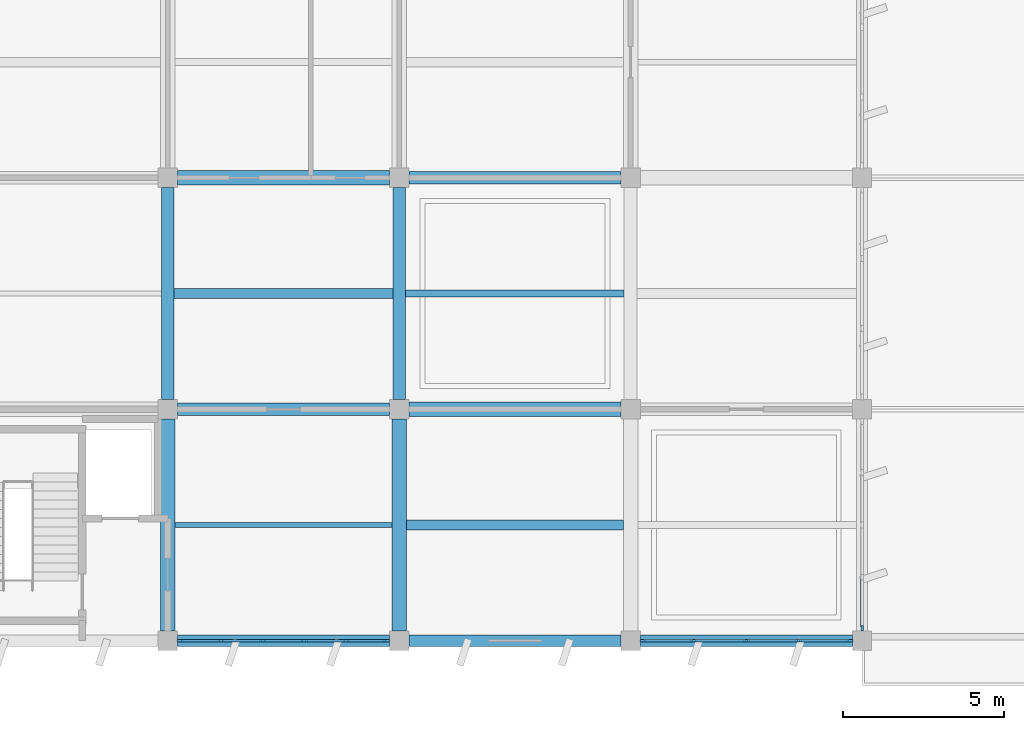
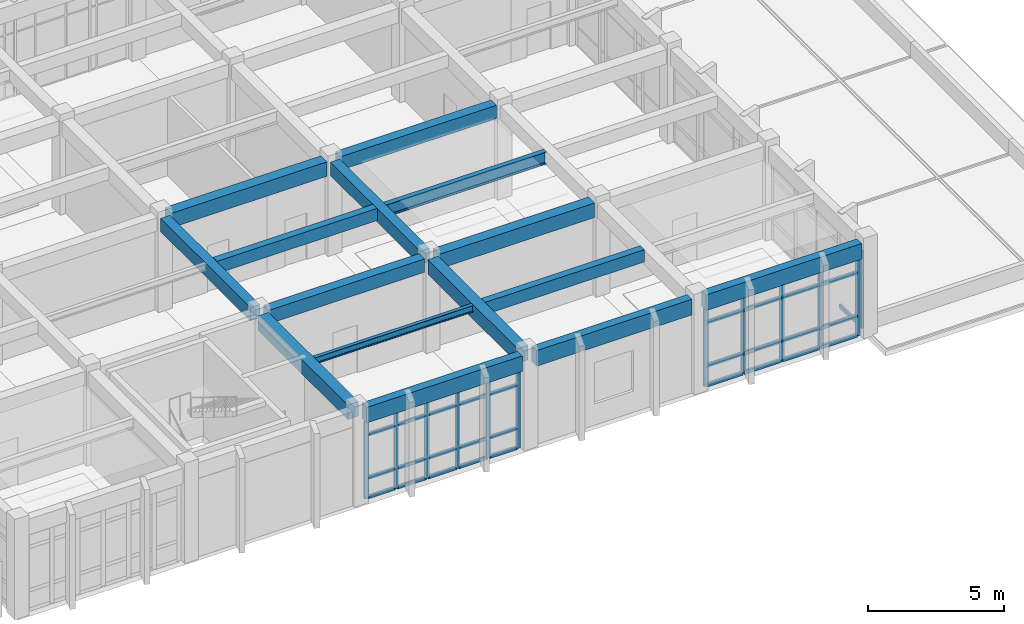
# One storey, part 28 of 81: 51 members, 13 beams, 3 elements without a shape of their own.
"""IFC4 building model written with IfcOpenShell, lengths in metres."""

from ifc_helpers import new_model, si_unit, direction, frame, origin, origin_2d, place, context, subcontext, project, spatial, rectangle, i_section, extrude, material, layer, layer_set, material_profile, profile_set, type_object, element, aggregate, save


model = new_model("IFC4")

# Units and contexts
model_context = context("Model", 3, precision=1e-05, world=origin(), true_north=direction((0.0, 1.0)))
body_context = subcontext(model_context, "Body", "Model", "MODEL_VIEW")
ifc_project = project(units=[si_unit("LENGTHUNIT", "METRE"), si_unit("AREAUNIT", "SQUARE_METRE"), si_unit("VOLUMEUNIT", "CUBIC_METRE"), si_unit("PLANEANGLEUNIT", "RADIAN"), si_unit("MASSUNIT", "GRAM", prefix="KILO")], contexts=[model_context])

# Site, building, storey
site_placement = place(None, origin())
site = spatial("IfcSite", under=ifc_project, at=site_placement, CompositionType="ELEMENT")
building_placement = place(site_placement, origin())
building = spatial("IfcBuilding", under=site, at=building_placement, Name="Kavelor Marine Aquarium", CompositionType="ELEMENT")
storey_placement = place(building_placement, frame((0.0, 0.0, 4.679931640625)))
storey = spatial("IfcBuildingStorey", under=building, at=storey_placement, Name="L01", CompositionType="ELEMENT", Elevation=4.679931640625)

# Beams
ifc_material_1 = material(Name="Concrete C40/50", Category="concrete")
ifc_material_profile_1 = material_profile(ifc_material_1, rectangle(XDim=0.449951171875, YDim=0.64990234375, at=origin_2d()), Name="RC-BM 450x650")
ifc_profile_set_1 = profile_set([ifc_material_profile_1], Name="Concrete C40/50")
beam_type_1 = type_object("IfcBeamType", Name="BM-B3", PredefinedType="BEAM", material=ifc_profile_set_1)
for number, where, z_axis, x_axis, name in (
    (1, (133.10009765625, 17.199951171875, 3.875), (1.0, 0.0, 0.0), (0.0, 1.0, 0.0), "bm:x:L01:L02:18_02"),
    (2, (140.300048828125, 10.0, 3.875), (1.0, 0.0, 0.0), (0.0, 1.0, 0.0), "bm:x:L01:L02:19_01"),
    (3, (132.800048828125, 3.10009765625, 3.875), (0.0, 1.0, 0.0), (-1.0, 0.0, 0.0), "bm:y:L01:L02:18_00"),
    (4, (140.0, 3.10009765625, 3.875), (0.0, 1.0, 0.0), (-1.0, 0.0, 0.0), "bm:y:L01:L02:19_00"),
):
    element("IfcBeam", number, at=place(storey_placement, frame(where, z_axis=z_axis, x_axis=x_axis)), inside=storey, type_object=beam_type_1, Name=name, PredefinedType="BEAM", context=body_context, shape_type="SweptSolid", body=[
        extrude(rectangle(XDim=0.449951171875, YDim=0.64990234375, at=origin_2d()), origin(), (0.0, 0.0, 1.0), 6.599853515625),
    ])
ifc_material_2 = material(Name="Concrete C40/50", Category="concrete")
ifc_material_profile_2 = material_profile(ifc_material_2, rectangle(XDim=0.39990234375, YDim=0.60009765625, at=origin_2d()), Name="RC-BM 400x600")
ifc_profile_set_2 = profile_set([ifc_material_profile_2], Name="Concrete C40/50")
beam_type_2 = type_object("IfcBeamType", Name="BM-B4", PredefinedType="BEAM", material=ifc_profile_set_2)
for number, where, z_axis, x_axis, name in (
    (5, (133.10009765625, 10.0, 3.900146484375), (1.0, 0.0, 0.0), (0.0, 1.0, 0.0), "bm:x:L01:L02:18_01"),
    (6, (140.300048828125, 17.199951171875, 3.900146484375), (1.0, 0.0, 0.0), (0.0, 1.0, 0.0), "bm:x:L01:L02:19_02"),
    (7, (132.800048828125, 10.300048828125, 3.900146484375), (0.0, 1.0, 0.0), (-1.0, 0.0, 0.0), "bm:y:L01:L02:18_01"),
    (8, (140.0, 10.300048828125, 3.900146484375), (0.0, 1.0, 0.0), (-1.0, 0.0, 0.0), "bm:y:L01:L02:19_01"),
):
    element("IfcBeam", number, at=place(storey_placement, frame(where, z_axis=z_axis, x_axis=x_axis)), inside=storey, type_object=beam_type_2, Name=name, PredefinedType="BEAM", context=body_context, shape_type="SweptSolid", body=[
        extrude(rectangle(XDim=0.39990234375, YDim=0.60009765625, at=origin_2d()), origin(), (0.0, 0.0, 1.0), 6.599853515625),
    ])
ifc_material_3 = material(Name="Concrete C40/50", Category="concrete")
ifc_material_profile_3 = material_profile(ifc_material_3, rectangle(XDim=0.300048828125, YDim=0.550048828125, at=origin_2d()), Name="RC-JS 300x550")
ifc_profile_set_3 = profile_set([ifc_material_profile_3], Name="Concrete C40/50")
beam_type_3 = type_object("IfcBeamType", Name="BM-JS2", PredefinedType="JOIST", material=ifc_profile_set_3)
beam_1_placement = place(storey_placement, frame((133.0, 13.60009765625, 3.945068359375), z_axis=(1.0, 0.0, 0.0), x_axis=(0.0, 1.0, 0.0)))
element("IfcBeam", 9, at=beam_1_placement, inside=storey, type_object=beam_type_3, Name="js:L01:L02:18_01", PredefinedType="JOIST", context=body_context, shape_type="SweptSolid", body=[
    extrude(rectangle(XDim=0.300048828125, YDim=0.550048828125, at=origin_2d()), origin(), (0.0, 0.0, 1.0), 6.800048828125),
])
beam_2_placement = place(storey_placement, frame((140.22509765625, 6.39990234375, 3.945068359375), z_axis=(1.0, 0.0, 0.0), x_axis=(0.0, 1.0, 0.0)))
element("IfcBeam", 10, at=beam_2_placement, inside=storey, type_object=beam_type_3, Name="js:L01:L02:19_00", PredefinedType="JOIST", context=body_context, shape_type="SweptSolid", body=[
    extrude(rectangle(XDim=0.300048828125, YDim=0.550048828125, at=origin_2d()), origin(), (0.0, 0.0, 1.0), 6.75),
])
ifc_material_4 = material(Name="Concrete C40/50", Category="concrete")
ifc_material_profile_4 = material_profile(ifc_material_4, rectangle(XDim=0.35009765625, YDim=0.699951171875, at=origin_2d()), Name="RC-SP 350x700")
ifc_profile_set_4 = profile_set([ifc_material_profile_4], Name="Concrete C40/50")
beam_type_4 = type_object("IfcBeamType", Name="BM-SP1", PredefinedType="SPANDREL", material=ifc_profile_set_4)
for number, where, z_axis, x_axis, name in (
    (11, (133.10009765625, 2.800048828125, 3.85009765625), (1.0, 0.0, 0.0), (0.0, 1.0, 0.0), "bm:x:L01:L02:18_00"),
    (12, (140.300048828125, 2.800048828125, 3.8701171875), (1.0, 0.0, 0.0), (0.0, 1.0, 0.0), "bm:x:L01:L02:19_00"),
):
    element("IfcBeam", number, at=place(storey_placement, frame(where, z_axis=z_axis, x_axis=x_axis)), inside=storey, type_object=beam_type_4, Name=name, PredefinedType="SPANDREL", context=body_context, shape_type="SweptSolid", body=[
        extrude(rectangle(XDim=0.35009765625, YDim=0.699951171875, at=origin_2d()), origin(), (0.0, 0.0, 1.0), 6.599853515625),
    ])
beam_3_placement = place(storey_placement, frame((147.5, 2.800048828125, 3.85009765625), z_axis=(1.0, 0.0, 0.0), x_axis=(0.0, 1.0, 0.0)))
element("IfcBeam", 13, at=beam_3_placement, inside=storey, type_object=beam_type_4, Name="bm:x:L01:L02:20_00", PredefinedType="SPANDREL", context=body_context, shape_type="SweptSolid", body=[
    extrude(rectangle(XDim=0.35009765625, YDim=0.699951171875, at=origin_2d()), origin(), (0.0, 0.0, 1.0), 6.60009765625),
])

# Curtain wall, members
ifc_material_5 = material(Name="Thermally Broken Aluminium and Low-E Glass", Category="aluminium")
ifc_layer_1 = layer(ifc_material_5, 0.196044921875)
ifc_layer_set_1 = layer_set([ifc_layer_1], Name="CW-SYS7")
curtain_wall_type_1 = type_object("IfcCurtainWallType", Name="CW-SYS7", PredefinedType="USERDEFINED", material=ifc_layer_set_1)
curtain_wall_1_placement = place(storey_placement, origin())
curtain_wall_1 = element("IfcCurtainWall", 14, at=curtain_wall_1_placement, inside=storey, type_object=curtain_wall_type_1, Name="cw:x:L01:18_00", ObjectType="Curtain Wall", PredefinedType="USERDEFINED")
ifc_material_6 = material(Name="Anodised Aluminium Alloy 6063-T6", Category="aluminium")
ifc_material_profile_5 = material_profile(ifc_material_6, rectangle(XDim=0.074951171875, YDim=0.179931640625, at=origin_2d()), Name="CW-MUL 75x180")
ifc_profile_set_5 = profile_set([ifc_material_profile_5], Name="Anodised Aluminium Alloy 6063-T6")
member_type_1 = type_object("IfcMemberType", Name="CWM-1", PredefinedType="MULLION", material=ifc_profile_set_5)
member_1_placement = place(storey_placement, frame((139.617431640625, 2.800048828125, 0.0), z_axis=(0.0, 0.0, 1.0), x_axis=(0.0, -1.0, 0.0)))
member_1 = element("IfcMember", 15, at=member_1_placement, type_object=member_type_1, Name="CW07 mullion 1", PredefinedType="MULLION", context=body_context, shape_type="SweptSolid", body=[
    extrude(rectangle(XDim=0.074951171875, YDim=0.179931640625, at=origin_2d()), origin(), (0.0, 0.0, 1.0), 3.489990234375),
])
member_2_placement = place(storey_placement, frame((138.35302734375, 2.800048828125, 0.0), z_axis=(0.0, 0.0, 1.0), x_axis=(0.0, -1.0, 0.0)))
member_2 = element("IfcMember", 16, at=member_2_placement, type_object=member_type_1, Name="CW07 mullion 2", PredefinedType="MULLION", context=body_context, shape_type="SweptSolid", body=[
    extrude(rectangle(XDim=0.074951171875, YDim=0.179931640625, at=origin_2d()), origin(), (0.0, 0.0, 1.0), 3.489990234375),
])
member_3_placement = place(storey_placement, frame((137.051025390625, 2.800048828125, 0.0), z_axis=(0.0, 0.0, 1.0), x_axis=(0.0, -1.0, 0.0)))
member_3 = element("IfcMember", 17, at=member_3_placement, type_object=member_type_1, Name="CW07 mullion 3", PredefinedType="MULLION", context=body_context, shape_type="SweptSolid", body=[
    extrude(rectangle(XDim=0.074951171875, YDim=0.179931640625, at=origin_2d()), origin(), (0.0, 0.0, 1.0), 3.489990234375),
])
member_4_placement = place(storey_placement, frame((135.7490234375, 2.800048828125, 0.0), z_axis=(0.0, 0.0, 1.0), x_axis=(0.0, -1.0, 0.0)))
member_4 = element("IfcMember", 18, at=member_4_placement, type_object=member_type_1, Name="CW07 mullion 4", PredefinedType="MULLION", context=body_context, shape_type="SweptSolid", body=[
    extrude(rectangle(XDim=0.074951171875, YDim=0.179931640625, at=origin_2d()), origin(), (0.0, 0.0, 1.0), 3.489990234375),
])
member_5_placement = place(storey_placement, frame((134.447021484375, 2.800048828125, 0.0), z_axis=(0.0, 0.0, 1.0), x_axis=(0.0, -1.0, 0.0)))
member_5 = element("IfcMember", 19, at=member_5_placement, type_object=member_type_1, Name="CW07 mullion 5", PredefinedType="MULLION", context=body_context, shape_type="SweptSolid", body=[
    extrude(rectangle(XDim=0.074951171875, YDim=0.179931640625, at=origin_2d()), origin(), (0.0, 0.0, 1.0), 3.489990234375),
])
member_6_placement = place(storey_placement, frame((133.1826171875, 2.800048828125, 0.0), z_axis=(0.0, 0.0, 1.0), x_axis=(0.0, -1.0, 0.0)))
member_6 = element("IfcMember", 20, at=member_6_placement, type_object=member_type_1, Name="CW07 mullion 6", PredefinedType="MULLION", context=body_context, shape_type="SweptSolid", body=[
    extrude(rectangle(XDim=0.074951171875, YDim=0.179931640625, at=origin_2d()), origin(), (0.0, 0.0, 1.0), 3.489990234375),
])

# Curtain wall, member
ifc_material_7 = material(Name="Thermally Broken Aluminium and Low-E Glass", Category="aluminium")
ifc_layer_2 = layer(ifc_material_7, 0.26806640625)
ifc_layer_set_2 = layer_set([ifc_layer_2], Name="CW-SYS16")
curtain_wall_type_2 = type_object("IfcCurtainWallType", Name="CW-SYS16", PredefinedType="USERDEFINED", material=ifc_layer_set_2)
curtain_wall_2_placement = place(storey_placement, origin())
curtain_wall_2 = element("IfcCurtainWall", 21, at=curtain_wall_2_placement, inside=storey, type_object=curtain_wall_type_2, Name="cw:y:L01:21_00", ObjectType="Curtain Wall", PredefinedType="USERDEFINED")
member_7_placement = place(storey_placement, frame((154.39990234375, 3.1826171875, 0.0), z_axis=(0.0, 0.0, 1.0), x_axis=(-1.0, 0.0, 0.0)))
member_7 = element("IfcMember", 22, at=member_7_placement, type_object=member_type_1, Name="CW16 mullion 1", PredefinedType="MULLION", context=body_context, shape_type="SweptSolid", body=[
    extrude(rectangle(XDim=0.074951171875, YDim=0.179931640625, at=origin_2d()), origin(), (0.0, 0.0, 1.0), 3.489990234375),
])

# Curtain wall, members
ifc_material_8 = material(Name="Thermally Broken Aluminium and Low-E Glass", Category="aluminium")
ifc_layer_3 = layer(ifc_material_8, 0.22802734375)
ifc_layer_set_3 = layer_set([ifc_layer_3], Name="CW-SYS11")
curtain_wall_type_3 = type_object("IfcCurtainWallType", Name="CW-SYS11", PredefinedType="USERDEFINED", material=ifc_layer_set_3)
curtain_wall_3_placement = place(storey_placement, origin())
curtain_wall_3 = element("IfcCurtainWall", 23, at=curtain_wall_3_placement, inside=storey, type_object=curtain_wall_type_3, Name="cw:x:L01:20_00", ObjectType="Curtain Wall", PredefinedType="USERDEFINED")
ifc_material_9 = material(Name="Anodised Aluminium Alloy 6063-T6", Category="aluminium")
ifc_material_profile_6 = material_profile(ifc_material_9, rectangle(XDim=0.080078125, YDim=0.18505859375, at=origin_2d()), Name="CW-MUL 80x185")
ifc_profile_set_6 = profile_set([ifc_material_profile_6], Name="Anodised Aluminium Alloy 6063-T6")
member_type_2 = type_object("IfcMemberType", Name="CWM-2", PredefinedType="MULLION", material=ifc_profile_set_6)
member_8_placement = place(storey_placement, frame((154.0224609375, 2.800048828125, 0.0), z_axis=(0.0, 0.0, 1.0), x_axis=(0.0, -1.0, 0.0)))
member_8 = element("IfcMember", 24, at=member_8_placement, type_object=member_type_2, Name="CW11 mullion 1", PredefinedType="MULLION", context=body_context, shape_type="SweptSolid", body=[
    extrude(rectangle(XDim=0.080078125, YDim=0.18505859375, at=origin_2d()), origin(), (0.0, 0.0, 1.0), 3.489990234375),
])
member_9_placement = place(storey_placement, frame((152.427490234375, 2.800048828125, 0.0), z_axis=(0.0, 0.0, 1.0), x_axis=(0.0, -1.0, 0.0)))
member_9 = element("IfcMember", 25, at=member_9_placement, type_object=member_type_2, Name="CW11 mullion 2", PredefinedType="MULLION", context=body_context, shape_type="SweptSolid", body=[
    extrude(rectangle(XDim=0.080078125, YDim=0.18505859375, at=origin_2d()), origin(), (0.0, 0.0, 1.0), 3.489990234375),
])
member_10_placement = place(storey_placement, frame((150.800048828125, 2.800048828125, 0.0), z_axis=(0.0, 0.0, 1.0), x_axis=(0.0, -1.0, 0.0)))
member_10 = element("IfcMember", 26, at=member_10_placement, type_object=member_type_2, Name="CW11 mullion 3", PredefinedType="MULLION", context=body_context, shape_type="SweptSolid", body=[
    extrude(rectangle(XDim=0.080078125, YDim=0.18505859375, at=origin_2d()), origin(), (0.0, 0.0, 1.0), 3.489990234375),
])
member_11_placement = place(storey_placement, frame((149.172607421875, 2.800048828125, 0.0), z_axis=(0.0, 0.0, 1.0), x_axis=(0.0, -1.0, 0.0)))
member_11 = element("IfcMember", 27, at=member_11_placement, type_object=member_type_2, Name="CW11 mullion 4", PredefinedType="MULLION", context=body_context, shape_type="SweptSolid", body=[
    extrude(rectangle(XDim=0.080078125, YDim=0.18505859375, at=origin_2d()), origin(), (0.0, 0.0, 1.0), 3.489990234375),
])
member_12_placement = place(storey_placement, frame((147.577392578125, 2.800048828125, 0.0), z_axis=(0.0, 0.0, 1.0), x_axis=(0.0, -1.0, 0.0)))
member_12 = element("IfcMember", 28, at=member_12_placement, type_object=member_type_2, Name="CW11 mullion 5", PredefinedType="MULLION", context=body_context, shape_type="SweptSolid", body=[
    extrude(rectangle(XDim=0.080078125, YDim=0.18505859375, at=origin_2d()), origin(), (0.0, 0.0, 1.0), 3.489990234375),
])

# Member
ifc_material_10 = material(Name="Anodised Aluminium Alloy 6063-T6", Category="aluminium")
ifc_material_profile_7 = material_profile(ifc_material_10, rectangle(XDim=0.074951171875, YDim=0.14990234375, at=origin_2d()), Name="CW-TRN 75x150")
ifc_profile_set_7 = profile_set([ifc_material_profile_7], Name="Anodised Aluminium Alloy 6063-T6")
member_type_3 = type_object("IfcMemberType", Name="CWT-1", PredefinedType="USERDEFINED", material=ifc_profile_set_7)
member_13_placement = place(storey_placement, frame((139.580078125, 2.800048828125, 0.03759765625), z_axis=(-1.0, 0.0, 0.0), x_axis=(0.0, -1.0, 0.0)))
member_13 = element("IfcMember", 29, at=member_13_placement, type_object=member_type_3, Name="CW07 transom 1.1", ObjectType="TRANSOM", PredefinedType="USERDEFINED", context=body_context, shape_type="SweptSolid", body=[
    extrude(rectangle(XDim=0.074951171875, YDim=0.14990234375, at=origin_2d()), origin(), (0.0, 0.0, 1.0), 1.189697265625),
])

member_14_placement = place(storey_placement, frame((139.580078125, 2.800048828125, 0.900146484375), z_axis=(-1.0, 0.0, 0.0), x_axis=(0.0, -1.0, 0.0)))
member_14 = element("IfcMember", 30, at=member_14_placement, type_object=member_type_3, Name="CW07 transom 1.2", ObjectType="TRANSOM", PredefinedType="USERDEFINED", context=body_context, shape_type="SweptSolid", body=[
    extrude(rectangle(XDim=0.074951171875, YDim=0.14990234375, at=origin_2d()), origin(), (0.0, 0.0, 1.0), 1.189697265625),
])

member_15_placement = place(storey_placement, frame((139.580078125, 2.800048828125, 2.840087890625), z_axis=(-1.0, 0.0, 0.0), x_axis=(0.0, -1.0, 0.0)))
member_15 = element("IfcMember", 31, at=member_15_placement, type_object=member_type_3, Name="CW07 transom 1.3", ObjectType="TRANSOM", PredefinedType="USERDEFINED", context=body_context, shape_type="SweptSolid", body=[
    extrude(rectangle(XDim=0.074951171875, YDim=0.14990234375, at=origin_2d()), origin(), (0.0, 0.0, 1.0), 1.189697265625),
])

member_16_placement = place(storey_placement, frame((139.580078125, 2.800048828125, 3.45263671875), z_axis=(-1.0, 0.0, 0.0), x_axis=(0.0, -1.0, 0.0)))
member_16 = element("IfcMember", 32, at=member_16_placement, type_object=member_type_3, Name="CW07 transom 1.4", ObjectType="TRANSOM", PredefinedType="USERDEFINED", context=body_context, shape_type="SweptSolid", body=[
    extrude(rectangle(XDim=0.074951171875, YDim=0.14990234375, at=origin_2d()), origin(), (0.0, 0.0, 1.0), 1.189697265625),
])

member_17_placement = place(storey_placement, frame((138.3154296875, 2.800048828125, 0.03759765625), z_axis=(-1.0, 0.0, 0.0), x_axis=(0.0, -1.0, 0.0)))
member_17 = element("IfcMember", 33, at=member_17_placement, type_object=member_type_3, Name="CW07 transom 2.1", ObjectType="TRANSOM", PredefinedType="USERDEFINED", context=body_context, shape_type="SweptSolid", body=[
    extrude(rectangle(XDim=0.074951171875, YDim=0.14990234375, at=origin_2d()), origin(), (0.0, 0.0, 1.0), 1.22705078125),
])

member_18_placement = place(storey_placement, frame((138.3154296875, 2.800048828125, 0.900146484375), z_axis=(-1.0, 0.0, 0.0), x_axis=(0.0, -1.0, 0.0)))
member_18 = element("IfcMember", 34, at=member_18_placement, type_object=member_type_3, Name="CW07 transom 2.2", ObjectType="TRANSOM", PredefinedType="USERDEFINED", context=body_context, shape_type="SweptSolid", body=[
    extrude(rectangle(XDim=0.074951171875, YDim=0.14990234375, at=origin_2d()), origin(), (0.0, 0.0, 1.0), 1.22705078125),
])

member_19_placement = place(storey_placement, frame((138.3154296875, 2.800048828125, 2.840087890625), z_axis=(-1.0, 0.0, 0.0), x_axis=(0.0, -1.0, 0.0)))
member_19 = element("IfcMember", 35, at=member_19_placement, type_object=member_type_3, Name="CW07 transom 2.3", ObjectType="TRANSOM", PredefinedType="USERDEFINED", context=body_context, shape_type="SweptSolid", body=[
    extrude(rectangle(XDim=0.074951171875, YDim=0.14990234375, at=origin_2d()), origin(), (0.0, 0.0, 1.0), 1.22705078125),
])

member_20_placement = place(storey_placement, frame((138.3154296875, 2.800048828125, 3.45263671875), z_axis=(-1.0, 0.0, 0.0), x_axis=(0.0, -1.0, 0.0)))
member_20 = element("IfcMember", 36, at=member_20_placement, type_object=member_type_3, Name="CW07 transom 2.4", ObjectType="TRANSOM", PredefinedType="USERDEFINED", context=body_context, shape_type="SweptSolid", body=[
    extrude(rectangle(XDim=0.074951171875, YDim=0.14990234375, at=origin_2d()), origin(), (0.0, 0.0, 1.0), 1.22705078125),
])

member_21_placement = place(storey_placement, frame((137.013427734375, 2.800048828125, 0.03759765625), z_axis=(-1.0, 0.0, 0.0), x_axis=(0.0, -1.0, 0.0)))
member_21 = element("IfcMember", 37, at=member_21_placement, type_object=member_type_3, Name="CW07 transom 3.1", ObjectType="TRANSOM", PredefinedType="USERDEFINED", context=body_context, shape_type="SweptSolid", body=[
    extrude(rectangle(XDim=0.074951171875, YDim=0.14990234375, at=origin_2d()), origin(), (0.0, 0.0, 1.0), 1.226806640625),
])

member_22_placement = place(storey_placement, frame((137.013427734375, 2.800048828125, 0.900146484375), z_axis=(-1.0, 0.0, 0.0), x_axis=(0.0, -1.0, 0.0)))
member_22 = element("IfcMember", 38, at=member_22_placement, type_object=member_type_3, Name="CW07 transom 3.2", ObjectType="TRANSOM", PredefinedType="USERDEFINED", context=body_context, shape_type="SweptSolid", body=[
    extrude(rectangle(XDim=0.074951171875, YDim=0.14990234375, at=origin_2d()), origin(), (0.0, 0.0, 1.0), 1.226806640625),
])

member_23_placement = place(storey_placement, frame((137.013427734375, 2.800048828125, 2.840087890625), z_axis=(-1.0, 0.0, 0.0), x_axis=(0.0, -1.0, 0.0)))
member_23 = element("IfcMember", 39, at=member_23_placement, type_object=member_type_3, Name="CW07 transom 3.3", ObjectType="TRANSOM", PredefinedType="USERDEFINED", context=body_context, shape_type="SweptSolid", body=[
    extrude(rectangle(XDim=0.074951171875, YDim=0.14990234375, at=origin_2d()), origin(), (0.0, 0.0, 1.0), 1.226806640625),
])

member_24_placement = place(storey_placement, frame((137.013427734375, 2.800048828125, 3.45263671875), z_axis=(-1.0, 0.0, 0.0), x_axis=(0.0, -1.0, 0.0)))
member_24 = element("IfcMember", 40, at=member_24_placement, type_object=member_type_3, Name="CW07 transom 3.4", ObjectType="TRANSOM", PredefinedType="USERDEFINED", context=body_context, shape_type="SweptSolid", body=[
    extrude(rectangle(XDim=0.074951171875, YDim=0.14990234375, at=origin_2d()), origin(), (0.0, 0.0, 1.0), 1.226806640625),
])

member_25_placement = place(storey_placement, frame((135.71142578125, 2.800048828125, 0.03759765625), z_axis=(-1.0, 0.0, 0.0), x_axis=(0.0, -1.0, 0.0)))
member_25 = element("IfcMember", 41, at=member_25_placement, type_object=member_type_3, Name="CW07 transom 4.1", ObjectType="TRANSOM", PredefinedType="USERDEFINED", context=body_context, shape_type="SweptSolid", body=[
    extrude(rectangle(XDim=0.074951171875, YDim=0.14990234375, at=origin_2d()), origin(), (0.0, 0.0, 1.0), 1.226806640625),
])

member_26_placement = place(storey_placement, frame((135.71142578125, 2.800048828125, 0.900146484375), z_axis=(-1.0, 0.0, 0.0), x_axis=(0.0, -1.0, 0.0)))
member_26 = element("IfcMember", 42, at=member_26_placement, type_object=member_type_3, Name="CW07 transom 4.2", ObjectType="TRANSOM", PredefinedType="USERDEFINED", context=body_context, shape_type="SweptSolid", body=[
    extrude(rectangle(XDim=0.074951171875, YDim=0.14990234375, at=origin_2d()), origin(), (0.0, 0.0, 1.0), 1.226806640625),
])

member_27_placement = place(storey_placement, frame((135.71142578125, 2.800048828125, 2.840087890625), z_axis=(-1.0, 0.0, 0.0), x_axis=(0.0, -1.0, 0.0)))
member_27 = element("IfcMember", 43, at=member_27_placement, type_object=member_type_3, Name="CW07 transom 4.3", ObjectType="TRANSOM", PredefinedType="USERDEFINED", context=body_context, shape_type="SweptSolid", body=[
    extrude(rectangle(XDim=0.074951171875, YDim=0.14990234375, at=origin_2d()), origin(), (0.0, 0.0, 1.0), 1.226806640625),
])

member_28_placement = place(storey_placement, frame((135.71142578125, 2.800048828125, 3.45263671875), z_axis=(-1.0, 0.0, 0.0), x_axis=(0.0, -1.0, 0.0)))
member_28 = element("IfcMember", 44, at=member_28_placement, type_object=member_type_3, Name="CW07 transom 4.4", ObjectType="TRANSOM", PredefinedType="USERDEFINED", context=body_context, shape_type="SweptSolid", body=[
    extrude(rectangle(XDim=0.074951171875, YDim=0.14990234375, at=origin_2d()), origin(), (0.0, 0.0, 1.0), 1.226806640625),
])

member_29_placement = place(storey_placement, frame((134.409423828125, 2.800048828125, 0.03759765625), z_axis=(-1.0, 0.0, 0.0), x_axis=(0.0, -1.0, 0.0)))
member_29 = element("IfcMember", 45, at=member_29_placement, type_object=member_type_3, Name="CW07 transom 5.1", ObjectType="TRANSOM", PredefinedType="USERDEFINED", context=body_context, shape_type="SweptSolid", body=[
    extrude(rectangle(XDim=0.074951171875, YDim=0.14990234375, at=origin_2d()), origin(), (0.0, 0.0, 1.0), 1.189453125),
])

member_30_placement = place(storey_placement, frame((134.409423828125, 2.800048828125, 0.900146484375), z_axis=(-1.0, 0.0, 0.0), x_axis=(0.0, -1.0, 0.0)))
member_30 = element("IfcMember", 46, at=member_30_placement, type_object=member_type_3, Name="CW07 transom 5.2", ObjectType="TRANSOM", PredefinedType="USERDEFINED", context=body_context, shape_type="SweptSolid", body=[
    extrude(rectangle(XDim=0.074951171875, YDim=0.14990234375, at=origin_2d()), origin(), (0.0, 0.0, 1.0), 1.189453125),
])

member_31_placement = place(storey_placement, frame((134.409423828125, 2.800048828125, 2.840087890625), z_axis=(-1.0, 0.0, 0.0), x_axis=(0.0, -1.0, 0.0)))
member_31 = element("IfcMember", 47, at=member_31_placement, type_object=member_type_3, Name="CW07 transom 5.3", ObjectType="TRANSOM", PredefinedType="USERDEFINED", context=body_context, shape_type="SweptSolid", body=[
    extrude(rectangle(XDim=0.074951171875, YDim=0.14990234375, at=origin_2d()), origin(), (0.0, 0.0, 1.0), 1.189453125),
])

member_32_placement = place(storey_placement, frame((134.409423828125, 2.800048828125, 3.45263671875), z_axis=(-1.0, 0.0, 0.0), x_axis=(0.0, -1.0, 0.0)))
member_32 = element("IfcMember", 48, at=member_32_placement, type_object=member_type_3, Name="CW07 transom 5.4", ObjectType="TRANSOM", PredefinedType="USERDEFINED", context=body_context, shape_type="SweptSolid", body=[
    extrude(rectangle(XDim=0.074951171875, YDim=0.14990234375, at=origin_2d()), origin(), (0.0, 0.0, 1.0), 1.189453125),
])

aggregate(curtain_wall_1, [member_1, member_2, member_3, member_4, member_5, member_6, member_13, member_14, member_15, member_16, member_17, member_18, member_19, member_20, member_21, member_22, member_23, member_24, member_25, member_26, member_27, member_28, member_29, member_30, member_31, member_32])

ifc_material_11 = material(Name="Anodised Aluminium Alloy 6063-T6", Category="aluminium")
ifc_material_profile_8 = material_profile(ifc_material_11, rectangle(XDim=0.0849609375, YDim=0.159912109375, at=origin_2d()), Name="CW-TRN 85x160")
ifc_profile_set_8 = profile_set([ifc_material_profile_8], Name="Anodised Aluminium Alloy 6063-T6")
member_type_4 = type_object("IfcMemberType", Name="CWT-3", PredefinedType="USERDEFINED", material=ifc_profile_set_8)
member_33_placement = place(storey_placement, frame((153.989990234375, 2.800048828125, 0.030029296875), z_axis=(-1.0, 0.0, 0.0), x_axis=(0.0, -1.0, 0.0)))
member_33 = element("IfcMember", 49, at=member_33_placement, type_object=member_type_4, Name="CW11 transom 1.1", ObjectType="TRANSOM", PredefinedType="USERDEFINED", context=body_context, shape_type="SweptSolid", body=[
    extrude(rectangle(XDim=0.0849609375, YDim=0.159912109375, at=origin_2d()), origin(), (0.0, 0.0, 1.0), 1.530029296875),
])

member_34_placement = place(storey_placement, frame((153.989990234375, 2.800048828125, 0.900146484375), z_axis=(-1.0, 0.0, 0.0), x_axis=(0.0, -1.0, 0.0)))
member_34 = element("IfcMember", 50, at=member_34_placement, type_object=member_type_4, Name="CW11 transom 1.2", ObjectType="TRANSOM", PredefinedType="USERDEFINED", context=body_context, shape_type="SweptSolid", body=[
    extrude(rectangle(XDim=0.0849609375, YDim=0.159912109375, at=origin_2d()), origin(), (0.0, 0.0, 1.0), 1.530029296875),
])

member_35_placement = place(storey_placement, frame((153.989990234375, 2.800048828125, 2.840087890625), z_axis=(-1.0, 0.0, 0.0), x_axis=(0.0, -1.0, 0.0)))
member_35 = element("IfcMember", 51, at=member_35_placement, type_object=member_type_4, Name="CW11 transom 1.3", ObjectType="TRANSOM", PredefinedType="USERDEFINED", context=body_context, shape_type="SweptSolid", body=[
    extrude(rectangle(XDim=0.0849609375, YDim=0.159912109375, at=origin_2d()), origin(), (0.0, 0.0, 1.0), 1.530029296875),
])

member_36_placement = place(storey_placement, frame((153.989990234375, 2.800048828125, 3.4599609375), z_axis=(-1.0, 0.0, 0.0), x_axis=(0.0, -1.0, 0.0)))
member_36 = element("IfcMember", 52, at=member_36_placement, type_object=member_type_4, Name="CW11 transom 1.4", ObjectType="TRANSOM", PredefinedType="USERDEFINED", context=body_context, shape_type="SweptSolid", body=[
    extrude(rectangle(XDim=0.0849609375, YDim=0.159912109375, at=origin_2d()), origin(), (0.0, 0.0, 1.0), 1.530029296875),
])

member_37_placement = place(storey_placement, frame((152.39501953125, 2.800048828125, 0.030029296875), z_axis=(-1.0, 0.0, 0.0), x_axis=(0.0, -1.0, 0.0)))
member_37 = element("IfcMember", 53, at=member_37_placement, type_object=member_type_4, Name="CW11 transom 2.1", ObjectType="TRANSOM", PredefinedType="USERDEFINED", context=body_context, shape_type="SweptSolid", body=[
    extrude(rectangle(XDim=0.0849609375, YDim=0.159912109375, at=origin_2d()), origin(), (0.0, 0.0, 1.0), 1.5625),
])

member_38_placement = place(storey_placement, frame((152.39501953125, 2.800048828125, 0.900146484375), z_axis=(-1.0, 0.0, 0.0), x_axis=(0.0, -1.0, 0.0)))
member_38 = element("IfcMember", 54, at=member_38_placement, type_object=member_type_4, Name="CW11 transom 2.2", ObjectType="TRANSOM", PredefinedType="USERDEFINED", context=body_context, shape_type="SweptSolid", body=[
    extrude(rectangle(XDim=0.0849609375, YDim=0.159912109375, at=origin_2d()), origin(), (0.0, 0.0, 1.0), 1.5625),
])

member_39_placement = place(storey_placement, frame((152.39501953125, 2.800048828125, 2.840087890625), z_axis=(-1.0, 0.0, 0.0), x_axis=(0.0, -1.0, 0.0)))
member_39 = element("IfcMember", 55, at=member_39_placement, type_object=member_type_4, Name="CW11 transom 2.3", ObjectType="TRANSOM", PredefinedType="USERDEFINED", context=body_context, shape_type="SweptSolid", body=[
    extrude(rectangle(XDim=0.0849609375, YDim=0.159912109375, at=origin_2d()), origin(), (0.0, 0.0, 1.0), 1.5625),
])

member_40_placement = place(storey_placement, frame((152.39501953125, 2.800048828125, 3.4599609375), z_axis=(-1.0, 0.0, 0.0), x_axis=(0.0, -1.0, 0.0)))
member_40 = element("IfcMember", 56, at=member_40_placement, type_object=member_type_4, Name="CW11 transom 2.4", ObjectType="TRANSOM", PredefinedType="USERDEFINED", context=body_context, shape_type="SweptSolid", body=[
    extrude(rectangle(XDim=0.0849609375, YDim=0.159912109375, at=origin_2d()), origin(), (0.0, 0.0, 1.0), 1.5625),
])

member_41_placement = place(storey_placement, frame((150.767578125, 2.800048828125, 0.030029296875), z_axis=(-1.0, 0.0, 0.0), x_axis=(0.0, -1.0, 0.0)))
member_41 = element("IfcMember", 57, at=member_41_placement, type_object=member_type_4, Name="CW11 transom 3.1", ObjectType="TRANSOM", PredefinedType="USERDEFINED", context=body_context, shape_type="SweptSolid", body=[
    extrude(rectangle(XDim=0.0849609375, YDim=0.159912109375, at=origin_2d()), origin(), (0.0, 0.0, 1.0), 1.5625),
])

member_42_placement = place(storey_placement, frame((150.767578125, 2.800048828125, 0.900146484375), z_axis=(-1.0, 0.0, 0.0), x_axis=(0.0, -1.0, 0.0)))
member_42 = element("IfcMember", 58, at=member_42_placement, type_object=member_type_4, Name="CW11 transom 3.2", ObjectType="TRANSOM", PredefinedType="USERDEFINED", context=body_context, shape_type="SweptSolid", body=[
    extrude(rectangle(XDim=0.0849609375, YDim=0.159912109375, at=origin_2d()), origin(), (0.0, 0.0, 1.0), 1.5625),
])

member_43_placement = place(storey_placement, frame((150.767578125, 2.800048828125, 2.840087890625), z_axis=(-1.0, 0.0, 0.0), x_axis=(0.0, -1.0, 0.0)))
member_43 = element("IfcMember", 59, at=member_43_placement, type_object=member_type_4, Name="CW11 transom 3.3", ObjectType="TRANSOM", PredefinedType="USERDEFINED", context=body_context, shape_type="SweptSolid", body=[
    extrude(rectangle(XDim=0.0849609375, YDim=0.159912109375, at=origin_2d()), origin(), (0.0, 0.0, 1.0), 1.5625),
])

member_44_placement = place(storey_placement, frame((150.767578125, 2.800048828125, 3.4599609375), z_axis=(-1.0, 0.0, 0.0), x_axis=(0.0, -1.0, 0.0)))
member_44 = element("IfcMember", 60, at=member_44_placement, type_object=member_type_4, Name="CW11 transom 3.4", ObjectType="TRANSOM", PredefinedType="USERDEFINED", context=body_context, shape_type="SweptSolid", body=[
    extrude(rectangle(XDim=0.0849609375, YDim=0.159912109375, at=origin_2d()), origin(), (0.0, 0.0, 1.0), 1.5625),
])

member_45_placement = place(storey_placement, frame((149.139892578125, 2.800048828125, 0.030029296875), z_axis=(-1.0, 0.0, 0.0), x_axis=(0.0, -1.0, 0.0)))
member_45 = element("IfcMember", 61, at=member_45_placement, type_object=member_type_4, Name="CW11 transom 4.1", ObjectType="TRANSOM", PredefinedType="USERDEFINED", context=body_context, shape_type="SweptSolid", body=[
    extrude(rectangle(XDim=0.0849609375, YDim=0.159912109375, at=origin_2d()), origin(), (0.0, 0.0, 1.0), 1.52978515625),
])

member_46_placement = place(storey_placement, frame((149.139892578125, 2.800048828125, 0.900146484375), z_axis=(-1.0, 0.0, 0.0), x_axis=(0.0, -1.0, 0.0)))
member_46 = element("IfcMember", 62, at=member_46_placement, type_object=member_type_4, Name="CW11 transom 4.2", ObjectType="TRANSOM", PredefinedType="USERDEFINED", context=body_context, shape_type="SweptSolid", body=[
    extrude(rectangle(XDim=0.0849609375, YDim=0.159912109375, at=origin_2d()), origin(), (0.0, 0.0, 1.0), 1.52978515625),
])

member_47_placement = place(storey_placement, frame((149.139892578125, 2.800048828125, 2.840087890625), z_axis=(-1.0, 0.0, 0.0), x_axis=(0.0, -1.0, 0.0)))
member_47 = element("IfcMember", 63, at=member_47_placement, type_object=member_type_4, Name="CW11 transom 4.3", ObjectType="TRANSOM", PredefinedType="USERDEFINED", context=body_context, shape_type="SweptSolid", body=[
    extrude(rectangle(XDim=0.0849609375, YDim=0.159912109375, at=origin_2d()), origin(), (0.0, 0.0, 1.0), 1.52978515625),
])

member_48_placement = place(storey_placement, frame((149.139892578125, 2.800048828125, 3.4599609375), z_axis=(-1.0, 0.0, 0.0), x_axis=(0.0, -1.0, 0.0)))
member_48 = element("IfcMember", 64, at=member_48_placement, type_object=member_type_4, Name="CW11 transom 4.4", ObjectType="TRANSOM", PredefinedType="USERDEFINED", context=body_context, shape_type="SweptSolid", body=[
    extrude(rectangle(XDim=0.0849609375, YDim=0.159912109375, at=origin_2d()), origin(), (0.0, 0.0, 1.0), 1.52978515625),
])

aggregate(curtain_wall_3, [member_8, member_9, member_10, member_11, member_12, member_33, member_34, member_35, member_36, member_37, member_38, member_39, member_40, member_41, member_42, member_43, member_44, member_45, member_46, member_47, member_48])

member_49_placement = place(storey_placement, frame((154.39990234375, 3.219970703125, 0.030029296875), z_axis=(0.0, 1.0, 0.0), x_axis=(-1.0, 0.0, 0.0)))
member_49 = element("IfcMember", 65, at=member_49_placement, type_object=member_type_4, Name="CW16 transom 1.1", ObjectType="TRANSOM", PredefinedType="USERDEFINED", context=body_context, shape_type="SweptSolid", body=[
    extrude(rectangle(XDim=0.0849609375, YDim=0.159912109375, at=origin_2d()), origin(), (0.0, 0.0, 1.0), 1.51513671875),
])

aggregate(curtain_wall_2, [member_7, member_49])

# Members
ifc_material_12 = material(Name="Steel S355", Category="steel")
ifc_material_profile_9 = material_profile(ifc_material_12, i_section(OverallWidth=0.2099609375, OverallDepth=0.550048828125, WebThickness=0.010986328125, FlangeThickness=0.01708984375, FilletRadius=0.02392578125, at=origin_2d()), Name="IPE 550")
ifc_profile_set_9 = profile_set([ifc_material_profile_9], Name="Steel S355")
member_type_5 = type_object("IfcMemberType", Name="PR-SJ1", PredefinedType="PURLIN", material=ifc_profile_set_9)
member_50_placement = place(storey_placement, frame((140.199951171875, 13.60009765625, 3.925048828125), z_axis=(1.0, 0.0, 0.0), x_axis=(0.0, 1.0, 0.0)))
element("IfcMember", 66, at=member_50_placement, inside=storey, type_object=member_type_5, Name="js:L01:L02:19_01", PredefinedType="PURLIN", context=body_context, shape_type="SweptSolid", body=[
    extrude(i_section(OverallWidth=0.2099609375, OverallDepth=0.550048828125, WebThickness=0.010986328125, FlangeThickness=0.01708984375, FilletRadius=0.02392578125, at=origin_2d()), origin(), (0.0, 0.0, 1.0), 6.800048828125),
])
ifc_material_13 = material(Name="Steel S355", Category="steel")
ifc_material_profile_10 = material_profile(ifc_material_13, i_section(OverallWidth=0.14990234375, OverallDepth=0.300048828125, WebThickness=0.007080078125, FlangeThickness=0.0107421875, FilletRadius=0.014892578125, at=origin_2d()), Name="IPE 300")
ifc_profile_set_10 = profile_set([ifc_material_profile_10], Name="Steel S355")
member_type_6 = type_object("IfcMemberType", Name="PR-SJ4", PredefinedType="PURLIN", material=ifc_profile_set_10)
member_51_placement = place(storey_placement, frame((133.02490234375, 6.39990234375, 4.050048828125), z_axis=(1.0, 0.0, 0.0), x_axis=(0.0, 1.0, 0.0)))
element("IfcMember", 67, at=member_51_placement, inside=storey, type_object=member_type_6, Name="js:L01:L02:18_00", PredefinedType="PURLIN", context=body_context, shape_type="SweptSolid", body=[
    extrude(i_section(OverallWidth=0.14990234375, OverallDepth=0.300048828125, WebThickness=0.007080078125, FlangeThickness=0.0107421875, FilletRadius=0.014892578125, at=origin_2d()), origin(), (0.0, 0.0, 1.0), 6.75),
])

save(model, "model.ifc")
